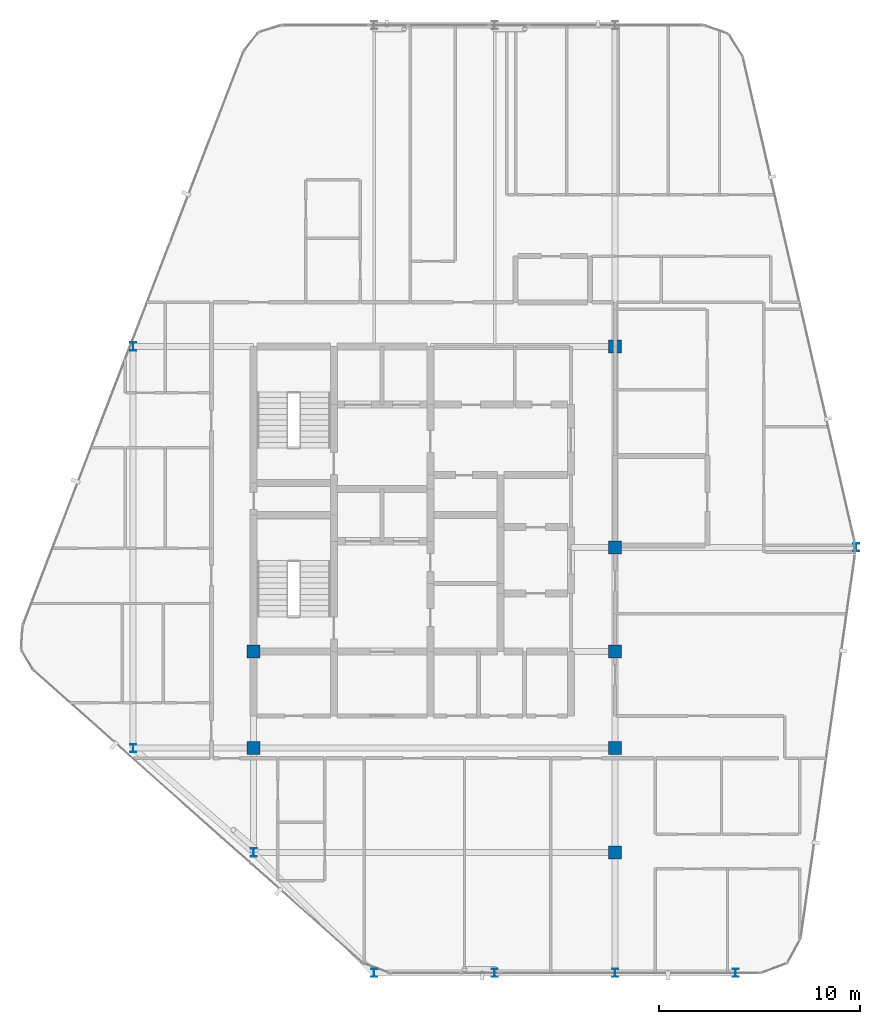
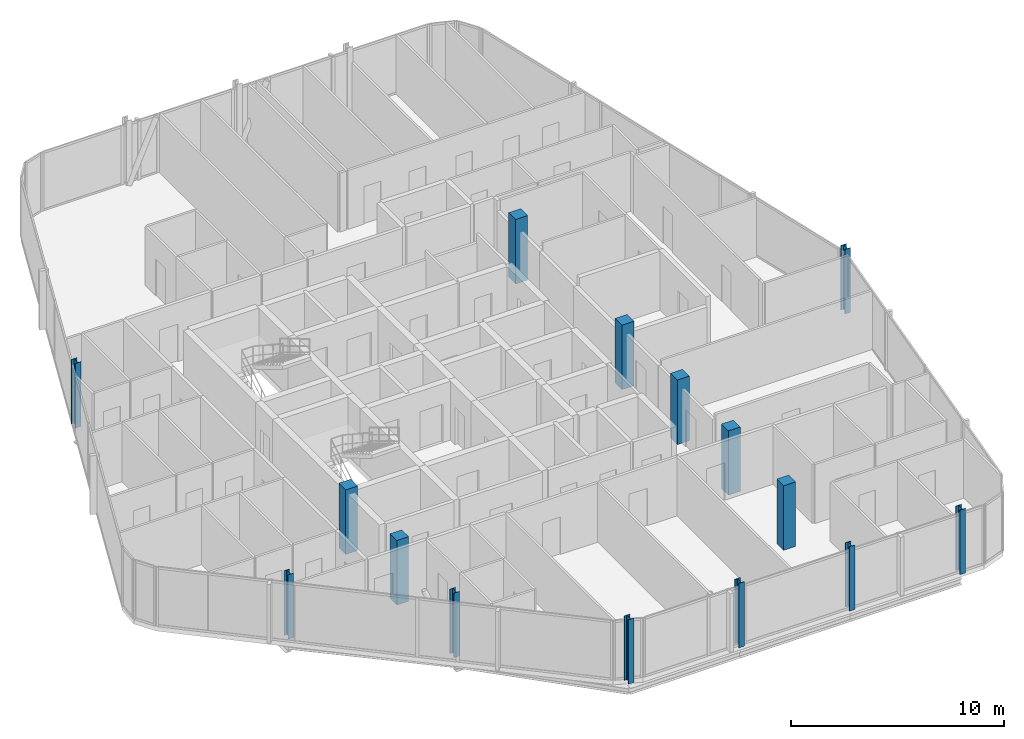
# One storey, part 1 of 27: 15 columns.
"""IFC4 building model written with IfcOpenShell, lengths in metres."""

from ifc_helpers import new_model, si_unit, direction, frame, origin, origin_2d, place, context, subcontext, project, spatial, rectangle, i_section, extrude, material, material_profile, profile_set, type_object, element, save


model = new_model("IFC4")

# Units and contexts
model_context = context("Model", 3, precision=1e-05, world=origin(), true_north=direction((0.0, 1.0)))
body_context = subcontext(model_context, "Body", "Model", "MODEL_VIEW")
ifc_project = project(units=[si_unit("LENGTHUNIT", "METRE"), si_unit("AREAUNIT", "SQUARE_METRE"), si_unit("VOLUMEUNIT", "CUBIC_METRE"), si_unit("PLANEANGLEUNIT", "RADIAN"), si_unit("MASSUNIT", "GRAM", prefix="KILO")], contexts=[model_context])

# Site, building, storey
site_placement = place(None, origin())
site = spatial("IfcSite", under=ifc_project, at=site_placement, CompositionType="ELEMENT")
building_placement = place(site_placement, origin())
building = spatial("IfcBuilding", under=site, at=building_placement, Name="Keshet Zoharim Tower", CompositionType="ELEMENT")
storey_placement = place(building_placement, frame((0.0, 0.0, 295.39990234375)))
storey = spatial("IfcBuildingStorey", under=building, at=storey_placement, Name="L74", CompositionType="ELEMENT", Elevation=295.39990234375)

# Columns
ifc_material_1 = material(Name="Steel S355", Category="steel")
ifc_material_profile_1 = material_profile(ifc_material_1, i_section(OverallWidth=0.300048828125, OverallDepth=0.39990234375, WebThickness=0.013427734375, FlangeThickness=0.02392578125, FilletRadius=0.027099609375, at=origin_2d()), Name="HEB400")
ifc_profile_set_1 = profile_set([ifc_material_profile_1], Name="Steel S355")
column_type_1 = type_object("IfcColumnType", Name="COL-HEB400", PredefinedType="COLUMN", material=ifc_profile_set_1)
for number, where, z_axis, x_axis, name in (
    (1, (9.0, 17.89990234375, 0.0), (0.0, 0.0, 1.0), (1.0, 0.0, 0.0), "L74 Column 2D"),
    (2, (9.0, 37.89990234375, 0.0), (0.0, 0.0, 1.0), (1.0, 0.0, 0.0), "L74 Column 2H"),
    (3, (15.0, 12.699951171875, 0.0), (0.0, 0.0, 1.0), (1.0, 0.0, 0.0), "L74 Column 3C"),
    (4, (21.0, 6.699951171875, 0.0), (0.0, 0.0, 1.0), (1.0, 0.0, 0.0), "L74 Column 4B"),
    (5, (27.0, 6.699951171875, 0.0), (0.0, 0.0, 1.0), (1.0, 0.0, 0.0), "L74 Column 5B"),
    (6, (33.0, 6.699951171875, 0.0), (0.0, 0.0, 1.0), (1.0, 0.0, 0.0), "L74 Column 6B"),
    (7, (39.0, 6.699951171875, 0.0), (0.0, 0.0, 1.0), (1.0, 0.0, 0.0), "L74 Column 7B"),
    (8, (45.0, 27.89990234375, 0.0), (0.0, 0.0, 1.0), (1.0, 0.0, 0.0), "L74 Column 8F"),
):
    element("IfcColumn", number, at=place(storey_placement, frame(where, z_axis=z_axis, x_axis=x_axis)), inside=storey, type_object=column_type_1, Name=name, PredefinedType="COLUMN", context=body_context, shape_type="SweptSolid", body=[
        extrude(i_section(OverallWidth=0.300048828125, OverallDepth=0.39990234375, WebThickness=0.013427734375, FlangeThickness=0.02392578125, FilletRadius=0.027099609375, at=origin_2d()), origin(), (0.0, 0.0, 1.0), 3.7001953125),
    ])
ifc_material_2 = material(Name="Concrete C50/60", Category="concrete")
ifc_material_profile_2 = material_profile(ifc_material_2, rectangle(XDim=0.64990234375, YDim=0.64990234375, at=origin_2d()), Name="RC650x650")
ifc_profile_set_2 = profile_set([ifc_material_profile_2], Name="Concrete C50/60")
column_type_2 = type_object("IfcColumnType", Name="COL-RC650", PredefinedType="COLUMN", material=ifc_profile_set_2)
for number, where, z_axis, x_axis, name in (
    (9, (15.0, 17.89990234375, 0.0), (0.0, 0.0, 1.0), (1.0, 0.0, 0.0), "L74 Column 3D"),
    (10, (15.0, 22.699951171875, 0.0), (0.0, 0.0, 1.0), (1.0, 0.0, 0.0), "L74 Column 3E"),
    (11, (33.0, 12.699951171875, 0.0), (0.0, 0.0, 1.0), (1.0, 0.0, 0.0), "L74 Column 6C"),
    (12, (33.0, 17.89990234375, 0.0), (0.0, 0.0, 1.0), (1.0, 0.0, 0.0), "L74 Column 6D"),
    (13, (33.0, 22.699951171875, 0.0), (0.0, 0.0, 1.0), (1.0, 0.0, 0.0), "L74 Column 6E"),
    (14, (33.0, 27.89990234375, 0.0), (0.0, 0.0, 1.0), (1.0, 0.0, 0.0), "L74 Column 6F"),
    (15, (33.0, 37.89990234375, 0.0), (0.0, 0.0, 1.0), (1.0, 0.0, 0.0), "L74 Column 6H"),
):
    element("IfcColumn", number, at=place(storey_placement, frame(where, z_axis=z_axis, x_axis=x_axis)), inside=storey, type_object=column_type_2, Name=name, PredefinedType="COLUMN", context=body_context, shape_type="SweptSolid", body=[
        extrude(rectangle(XDim=0.64990234375, YDim=0.64990234375, at=origin_2d()), origin(), (0.0, 0.0, 1.0), 3.7001953125),
    ])

save(model, "model.ifc")
